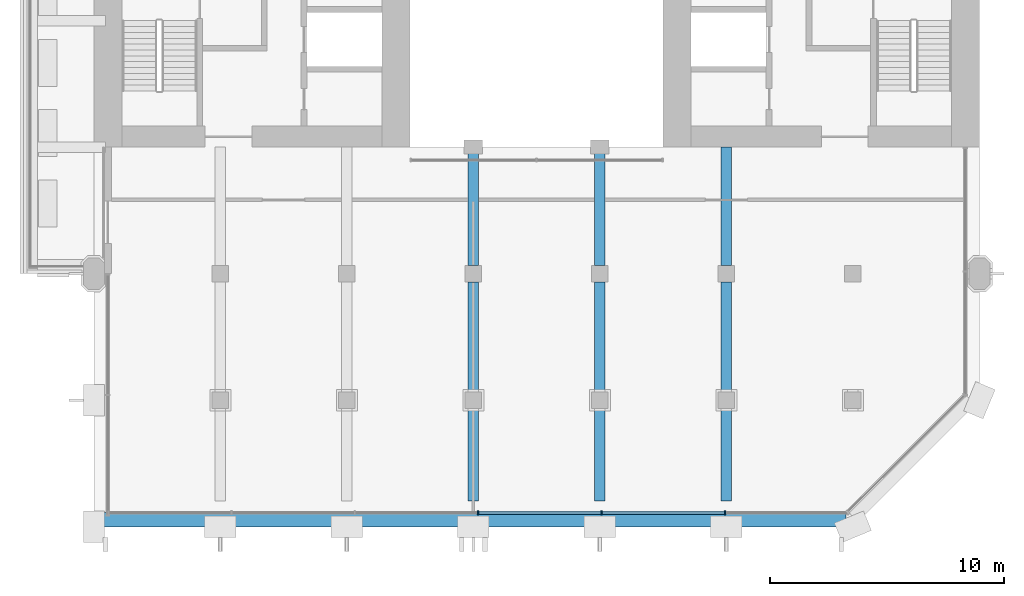
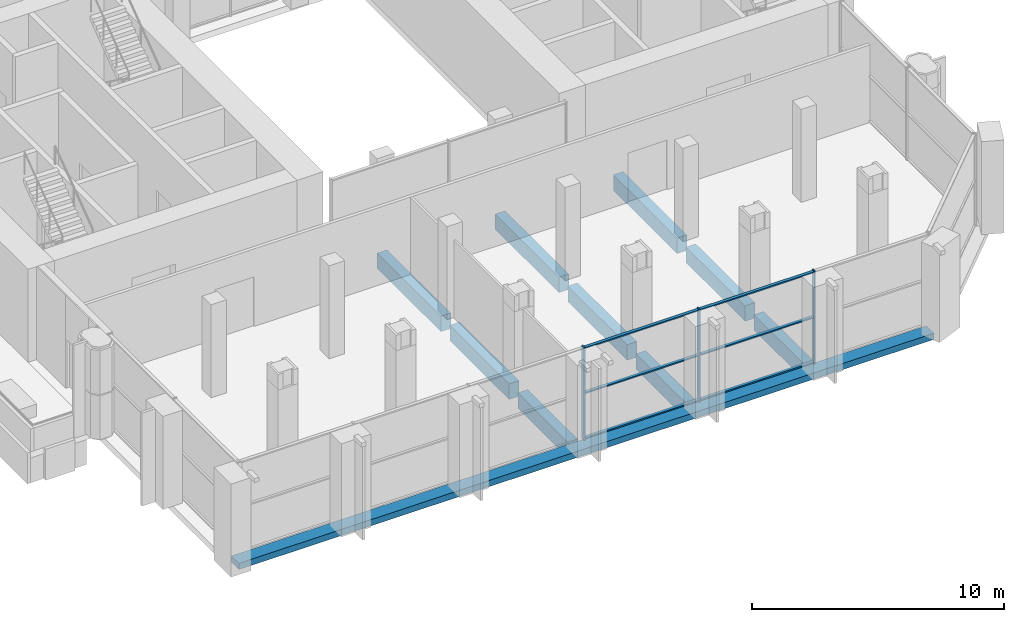
# One storey, part 3 of 14: 10 beams, 9 members, 1 element without a shape of its own.
"""IFC4 building model written with IfcOpenShell, lengths in metres."""

from ifc_helpers import new_model, si_unit, direction, frame, origin, origin_2d, place, context, subcontext, project, spatial, rectangle, extrude, material, material_profile, profile_set, type_object, element, aggregate, save


model = new_model("IFC4")

# Units and contexts
model_context = context("Model", 3, precision=1e-05, world=origin(), true_north=direction((0.0, 1.0)))
body_context = subcontext(model_context, "Body", "Model", "MODEL_VIEW")
ifc_project = project(units=[si_unit("LENGTHUNIT", "METRE"), si_unit("AREAUNIT", "SQUARE_METRE"), si_unit("VOLUMEUNIT", "CUBIC_METRE"), si_unit("PLANEANGLEUNIT", "RADIAN"), si_unit("MASSUNIT", "GRAM", prefix="KILO")], contexts=[model_context])

# Site, building, storey
site_placement = place(None, origin())
site = spatial("IfcSite", under=ifc_project, at=site_placement, CompositionType="ELEMENT")
building_placement = place(site_placement, origin())
building = spatial("IfcBuilding", under=site, at=building_placement, Name="Tabaq Tower and Sports Hall", CompositionType="ELEMENT")
storey_placement = place(building_placement, frame((0.0, 0.0, 260.5)))
storey = spatial("IfcBuildingStorey", under=building, at=storey_placement, Name="L63", CompositionType="ELEMENT", Elevation=260.5)

# Curtain wall, members
ifc_material_1 = material(Name="Aluminium alloy 6063-T6 framed glazing", Category="aluminium")
curtain_wall_type = type_object("IfcCurtainWallType", Name="CW3 curtain wall", PredefinedType="USERDEFINED", material=ifc_material_1)
curtain_wall_placement = place(storey_placement, origin())
curtain_wall = element("IfcCurtainWall", 1, at=curtain_wall_placement, inside=storey, type_object=curtain_wall_type, Name="Garden Floor Wall L63 S", ObjectType="GARDEN FLOOR WALL", PredefinedType="USERDEFINED")
ifc_material_2 = material(Name="Aluminium alloy 6063-T6", Category="aluminium")
ifc_material_profile_1 = material_profile(ifc_material_2, rectangle(XDim=0.179931640625, YDim=0.06005859375, at=origin_2d()), Name="MULLION 180x60")
ifc_profile_set_1 = profile_set([ifc_material_profile_1], Name="Aluminium alloy 6063-T6")
member_type_1 = type_object("IfcMemberType", Name="CW3 mullion 180x60", PredefinedType="MULLION", material=ifc_profile_set_1)
member_1_placement = place(storey_placement, frame((21.806884765625, 0.60009765625, 0.0), z_axis=(0.0, 0.0, 1.0), x_axis=(0.0, 1.0, 0.0)))
member_1 = element("IfcMember", 2, at=member_1_placement, type_object=member_type_1, Name="CW3 mullion 4", PredefinedType="MULLION", context=body_context, shape_type="SweptSolid", body=[
    extrude(rectangle(XDim=0.179931640625, YDim=0.06005859375, at=origin_2d()), origin(), (0.0, 0.0, 1.0), 4.5),
])
member_2_placement = place(storey_placement, frame((27.07568359375, 0.60009765625, 0.0), z_axis=(0.0, 0.0, 1.0), x_axis=(0.0, 1.0, 0.0)))
member_2 = element("IfcMember", 3, at=member_2_placement, type_object=member_type_1, Name="CW3 mullion 5", PredefinedType="MULLION", context=body_context, shape_type="SweptSolid", body=[
    extrude(rectangle(XDim=0.179931640625, YDim=0.06005859375, at=origin_2d()), origin(), (0.0, 0.0, 1.0), 4.5),
])
member_3_placement = place(storey_placement, frame((32.3447265625, 0.60009765625, 0.0), z_axis=(0.0, 0.0, 1.0), x_axis=(0.0, 1.0, 0.0)))
member_3 = element("IfcMember", 4, at=member_3_placement, type_object=member_type_1, Name="CW3 mullion 6", PredefinedType="MULLION", context=body_context, shape_type="SweptSolid", body=[
    extrude(rectangle(XDim=0.179931640625, YDim=0.06005859375, at=origin_2d()), origin(), (0.0, 0.0, 1.0), 4.5),
])
ifc_material_3 = material(Name="Aluminium alloy 6063-T6", Category="aluminium")
ifc_material_profile_2 = material_profile(ifc_material_3, rectangle(XDim=0.139892578125, YDim=0.06005859375, at=origin_2d()), Name="TRANSOM 140x60")
ifc_profile_set_2 = profile_set([ifc_material_profile_2], Name="Aluminium alloy 6063-T6")
member_type_2 = type_object("IfcMemberType", Name="CW3 transom 140x60", PredefinedType="USERDEFINED", material=ifc_profile_set_2)
member_4_placement = place(storey_placement, frame((21.8369140625, 0.60009765625, 0.070068359375), z_axis=(1.0, 0.0, 0.0), x_axis=(0.0, 1.0, 0.0)))
member_4 = element("IfcMember", 5, at=member_4_placement, type_object=member_type_2, Name="CW3 transom 4.1", ObjectType="TRANSOM", PredefinedType="USERDEFINED", context=body_context, shape_type="SweptSolid", body=[
    extrude(rectangle(XDim=0.139892578125, YDim=0.06005859375, at=origin_2d()), origin(), (0.0, 0.0, 1.0), 5.208740234375),
])
member_5_placement = place(storey_placement, frame((21.8369140625, 0.60009765625, 2.25), z_axis=(1.0, 0.0, 0.0), x_axis=(0.0, 1.0, 0.0)))
member_5 = element("IfcMember", 6, at=member_5_placement, type_object=member_type_2, Name="CW3 transom 4.2", ObjectType="TRANSOM", PredefinedType="USERDEFINED", context=body_context, shape_type="SweptSolid", body=[
    extrude(rectangle(XDim=0.139892578125, YDim=0.06005859375, at=origin_2d()), origin(), (0.0, 0.0, 1.0), 5.208740234375),
])
member_6_placement = place(storey_placement, frame((21.8369140625, 0.60009765625, 4.429931640625), z_axis=(1.0, 0.0, 0.0), x_axis=(0.0, 1.0, 0.0)))
member_6 = element("IfcMember", 7, at=member_6_placement, type_object=member_type_2, Name="CW3 transom 4.3", ObjectType="TRANSOM", PredefinedType="USERDEFINED", context=body_context, shape_type="SweptSolid", body=[
    extrude(rectangle(XDim=0.139892578125, YDim=0.06005859375, at=origin_2d()), origin(), (0.0, 0.0, 1.0), 5.208740234375),
])
member_7_placement = place(storey_placement, frame((27.105712890625, 0.60009765625, 0.070068359375), z_axis=(1.0, 0.0, 0.0), x_axis=(0.0, 1.0, 0.0)))
member_7 = element("IfcMember", 8, at=member_7_placement, type_object=member_type_2, Name="CW3 transom 5.1", ObjectType="TRANSOM", PredefinedType="USERDEFINED", context=body_context, shape_type="SweptSolid", body=[
    extrude(rectangle(XDim=0.139892578125, YDim=0.06005859375, at=origin_2d()), origin(), (0.0, 0.0, 1.0), 5.208984375),
])
member_8_placement = place(storey_placement, frame((27.105712890625, 0.60009765625, 2.25), z_axis=(1.0, 0.0, 0.0), x_axis=(0.0, 1.0, 0.0)))
member_8 = element("IfcMember", 9, at=member_8_placement, type_object=member_type_2, Name="CW3 transom 5.2", ObjectType="TRANSOM", PredefinedType="USERDEFINED", context=body_context, shape_type="SweptSolid", body=[
    extrude(rectangle(XDim=0.139892578125, YDim=0.06005859375, at=origin_2d()), origin(), (0.0, 0.0, 1.0), 5.208984375),
])
member_9_placement = place(storey_placement, frame((27.105712890625, 0.60009765625, 4.429931640625), z_axis=(1.0, 0.0, 0.0), x_axis=(0.0, 1.0, 0.0)))
member_9 = element("IfcMember", 10, at=member_9_placement, type_object=member_type_2, Name="CW3 transom 5.3", ObjectType="TRANSOM", PredefinedType="USERDEFINED", context=body_context, shape_type="SweptSolid", body=[
    extrude(rectangle(XDim=0.139892578125, YDim=0.06005859375, at=origin_2d()), origin(), (0.0, 0.0, 1.0), 5.208984375),
])
aggregate(curtain_wall, [member_1, member_2, member_3, member_4, member_5, member_6, member_7, member_8, member_9])

# Beams
ifc_material_4 = material(Name="Concrete C40/50", Category="concrete")
ifc_material_profile_3 = material_profile(ifc_material_4, rectangle(XDim=0.449951171875, YDim=0.75, at=origin_2d()), Name="CB 450x750")
ifc_profile_set_3 = profile_set([ifc_material_profile_3], Name="Concrete C40/50")
beam_type_1 = type_object("IfcBeamType", Name="PT CANTILEVER BEAM CB 450x750 C40/50", PredefinedType="BEAM", material=ifc_profile_set_3)
beam_1_placement = place(storey_placement, frame((21.60009765625, 1.10009765625, -0.675048828125), z_axis=(0.0, 1.0, 0.0), x_axis=(-1.0, 0.0, 0.0)))
element("IfcBeam", 11, at=beam_1_placement, inside=storey, type_object=beam_type_1, Name="Cantilever Beam L63 S4 span 1", PredefinedType="BEAM", context=body_context, shape_type="SweptSolid", body=[
    extrude(rectangle(XDim=0.449951171875, YDim=0.75, at=origin_2d()), origin(), (0.0, 0.0, 1.0), 3.949951171875),
])
beam_2_placement = place(storey_placement, frame((21.60009765625, 5.75, -0.675048828125), z_axis=(0.0, 1.0, 0.0), x_axis=(-1.0, 0.0, 0.0)))
element("IfcBeam", 12, at=beam_2_placement, inside=storey, type_object=beam_type_1, Name="Cantilever Beam L63 S4 span 2", PredefinedType="BEAM", context=body_context, shape_type="SweptSolid", body=[
    extrude(rectangle(XDim=0.449951171875, YDim=0.75, at=origin_2d()), origin(), (0.0, 0.0, 1.0), 4.699951171875),
])
beam_3_placement = place(storey_placement, frame((21.60009765625, 11.14990234375, -0.675048828125), z_axis=(0.0, 1.0, 0.0), x_axis=(-1.0, 0.0, 0.0)))
element("IfcBeam", 13, at=beam_3_placement, inside=storey, type_object=beam_type_1, Name="Cantilever Beam L63 S4 span 3", PredefinedType="BEAM", context=body_context, shape_type="SweptSolid", body=[
    extrude(rectangle(XDim=0.449951171875, YDim=0.75, at=origin_2d()), origin(), (0.0, 0.0, 1.0), 5.050048828125),
])
beam_4_placement = place(storey_placement, frame((27.0, 1.10009765625, -0.675048828125), z_axis=(0.0, 1.0, 0.0), x_axis=(-1.0, 0.0, 0.0)))
element("IfcBeam", 14, at=beam_4_placement, inside=storey, type_object=beam_type_1, Name="Cantilever Beam L63 S5 span 1", PredefinedType="BEAM", context=body_context, shape_type="SweptSolid", body=[
    extrude(rectangle(XDim=0.449951171875, YDim=0.75, at=origin_2d()), origin(), (0.0, 0.0, 1.0), 3.949951171875),
])
beam_5_placement = place(storey_placement, frame((27.0, 5.75, -0.675048828125), z_axis=(0.0, 1.0, 0.0), x_axis=(-1.0, 0.0, 0.0)))
element("IfcBeam", 15, at=beam_5_placement, inside=storey, type_object=beam_type_1, Name="Cantilever Beam L63 S5 span 2", PredefinedType="BEAM", context=body_context, shape_type="SweptSolid", body=[
    extrude(rectangle(XDim=0.449951171875, YDim=0.75, at=origin_2d()), origin(), (0.0, 0.0, 1.0), 4.699951171875),
])
beam_6_placement = place(storey_placement, frame((27.0, 11.14990234375, -0.675048828125), z_axis=(0.0, 1.0, 0.0), x_axis=(-1.0, 0.0, 0.0)))
element("IfcBeam", 16, at=beam_6_placement, inside=storey, type_object=beam_type_1, Name="Cantilever Beam L63 S5 span 3", PredefinedType="BEAM", context=body_context, shape_type="SweptSolid", body=[
    extrude(rectangle(XDim=0.449951171875, YDim=0.75, at=origin_2d()), origin(), (0.0, 0.0, 1.0), 5.050048828125),
])
beam_7_placement = place(storey_placement, frame((32.39990234375, 1.10009765625, -0.675048828125), z_axis=(0.0, 1.0, 0.0), x_axis=(-1.0, 0.0, 0.0)))
element("IfcBeam", 17, at=beam_7_placement, inside=storey, type_object=beam_type_1, Name="Cantilever Beam L63 S6 span 1", PredefinedType="BEAM", context=body_context, shape_type="SweptSolid", body=[
    extrude(rectangle(XDim=0.449951171875, YDim=0.75, at=origin_2d()), origin(), (0.0, 0.0, 1.0), 3.949951171875),
])
beam_8_placement = place(storey_placement, frame((32.39990234375, 5.75, -0.675048828125), z_axis=(0.0, 1.0, 0.0), x_axis=(-1.0, 0.0, 0.0)))
element("IfcBeam", 18, at=beam_8_placement, inside=storey, type_object=beam_type_1, Name="Cantilever Beam L63 S6 span 2", PredefinedType="BEAM", context=body_context, shape_type="SweptSolid", body=[
    extrude(rectangle(XDim=0.449951171875, YDim=0.75, at=origin_2d()), origin(), (0.0, 0.0, 1.0), 4.699951171875),
])
beam_9_placement = place(storey_placement, frame((32.39990234375, 11.14990234375, -0.675048828125), z_axis=(0.0, 1.0, 0.0), x_axis=(-1.0, 0.0, 0.0)))
element("IfcBeam", 19, at=beam_9_placement, inside=storey, type_object=beam_type_1, Name="Cantilever Beam L63 S6 span 3", PredefinedType="BEAM", context=body_context, shape_type="SweptSolid", body=[
    extrude(rectangle(XDim=0.449951171875, YDim=0.75, at=origin_2d()), origin(), (0.0, 0.0, 1.0), 5.050048828125),
])
ifc_material_5 = material(Name="Concrete C40/50", Category="concrete")
ifc_material_profile_4 = material_profile(ifc_material_5, rectangle(XDim=0.60009765625, YDim=0.300048828125, at=origin_2d()), Name="EB 600x300")
ifc_profile_set_4 = profile_set([ifc_material_profile_4], Name="Concrete C40/50")
beam_type_2 = type_object("IfcBeamType", Name="PT EDGE BEAM EB 600x300 C40/50", PredefinedType="SPANDREL", material=ifc_profile_set_4)
beam_10_placement = place(storey_placement, frame((5.68994140625, 0.300048828125, -0.14990234375), z_axis=(1.0, 0.0, 0.0), x_axis=(0.0, 1.0, 0.0)))
element("IfcBeam", 20, at=beam_10_placement, inside=storey, type_object=beam_type_2, Name="Edge Beam L63 1", PredefinedType="SPANDREL", context=body_context, shape_type="SweptSolid", body=[
    extrude(rectangle(XDim=0.60009765625, YDim=0.300048828125, at=origin_2d()), origin(), (0.0, 0.0, 1.0), 31.8115234375),
])

save(model, "model.ifc")
